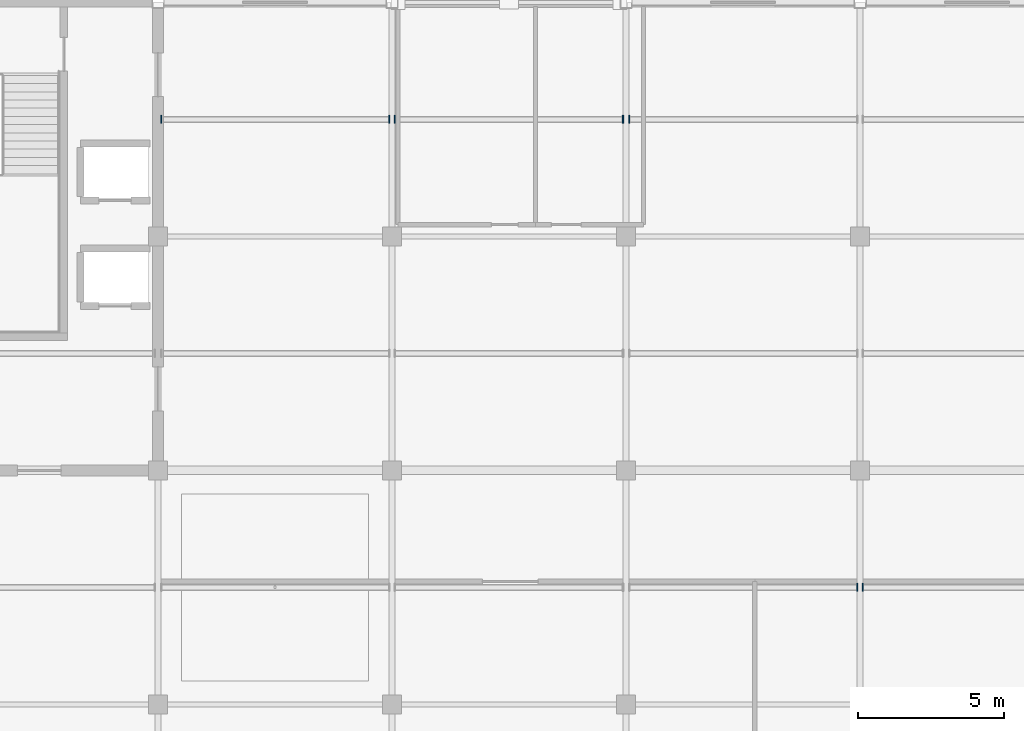
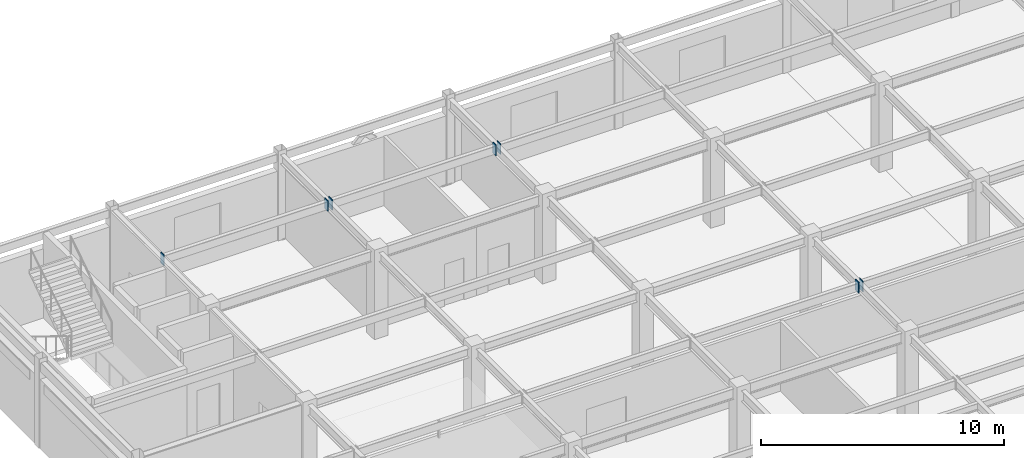
# One storey, part 74 of 93: 7 discrete accessories.
"""IFC4 building model written with IfcOpenShell, lengths in metres."""

from ifc_helpers import new_model, si_unit, direction, frame, origin, origin_2d, place, context, subcontext, project, spatial, rectangle, extrude, material, layer, layer_set, type_object, element, save


model = new_model("IFC4")

# Units and contexts
model_context = context("Model", 3, precision=1e-05, world=origin(), true_north=direction((0.0, 1.0)))
body_context = subcontext(model_context, "Body", "Model", "MODEL_VIEW")
ifc_project = project(units=[si_unit("LENGTHUNIT", "METRE"), si_unit("AREAUNIT", "SQUARE_METRE"), si_unit("VOLUMEUNIT", "CUBIC_METRE"), si_unit("PLANEANGLEUNIT", "RADIAN"), si_unit("MASSUNIT", "GRAM", prefix="KILO")], contexts=[model_context])

# Site, building, storey
site_placement = place(None, origin())
site = spatial("IfcSite", under=ifc_project, at=site_placement, CompositionType="ELEMENT")
building_placement = place(site_placement, origin())
building = spatial("IfcBuilding", under=site, at=building_placement, Name="Solmirada Galleria", CompositionType="ELEMENT")
storey_placement = place(building_placement, frame((0.0, 0.0, 14.89990234375)))
storey = spatial("IfcBuildingStorey", under=building, at=storey_placement, Name="L03", CompositionType="ELEMENT", Elevation=14.89990234375)

# Discrete accessories
ifc_material = material(Name="Steel S355 / ASTM A572 Grade 50", Category="steel")
ifc_layer = layer(ifc_material, 0.031982421875)
ifc_layer_set = layer_set([ifc_layer], Name="Steel S355 / ASTM A572 Grade 50")
discrete_accessory_type = type_object("IfcDiscreteAccessoryType", Name="ACC-COL-CAP", PredefinedType="BRACKET", material=ifc_layer_set)
for number, where, z_axis, x_axis, name in (
    (1, (48.10498046875, 116.0, 3.8271484375), (0.0, 0.0, 1.0), (1.0, 0.0, 0.0), "Hollow joist end plate L04-07-15-L"),
    (2, (55.903076171875, 116.0, 3.8271484375), (0.0, 0.0, 1.0), (1.0, 0.0, 0.0), "Hollow joist end plate L04-07-15-R"),
    (3, (56.096923828125, 116.0, 3.8271484375), (0.0, 0.0, 1.0), (1.0, 0.0, 0.0), "Hollow joist end plate L04-08-15-L"),
    (4, (63.89501953125, 116.0, 3.8271484375), (0.0, 0.0, 1.0), (1.0, 0.0, 0.0), "Hollow joist end plate L04-08-15-R"),
    (5, (71.903076171875, 100.0, 3.8271484375), (0.0, 0.0, 1.0), (1.0, 0.0, 0.0), "Hollow joist end plate L04-09-13-R"),
    (6, (64.10498046875, 116.0, 3.8271484375), (0.0, 0.0, 1.0), (1.0, 0.0, 0.0), "Hollow joist end plate L04-09-15-L"),
    (7, (72.096923828125, 100.0, 3.8271484375), (0.0, 0.0, 1.0), (1.0, 0.0, 0.0), "Hollow joist end plate L04-10-13-L"),
):
    element("IfcDiscreteAccessory", number, at=place(storey_placement, frame(where, z_axis=z_axis, x_axis=x_axis)), inside=storey, type_object=discrete_accessory_type, Name=name, PredefinedType="BRACKET", context=body_context, shape_type="SweptSolid", body=[
        extrude(rectangle(XDim=0.035888671875, YDim=0.280029296875, at=origin_2d()), origin(), (0.0, 0.0, 1.0), 0.5400390625),
    ])

save(model, "model.ifc")
